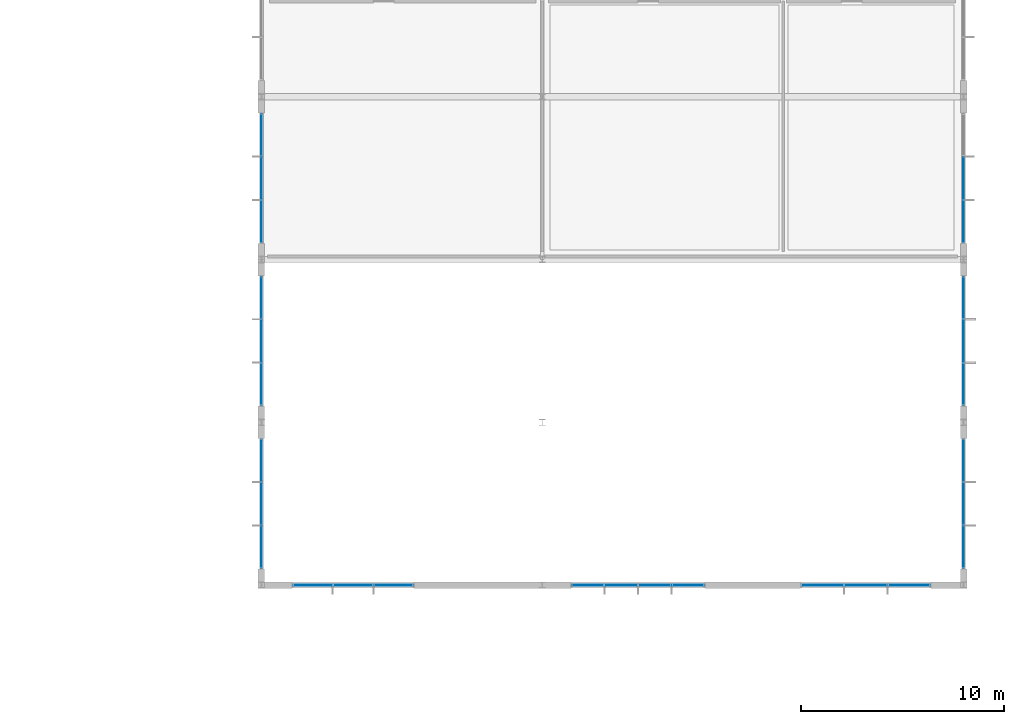
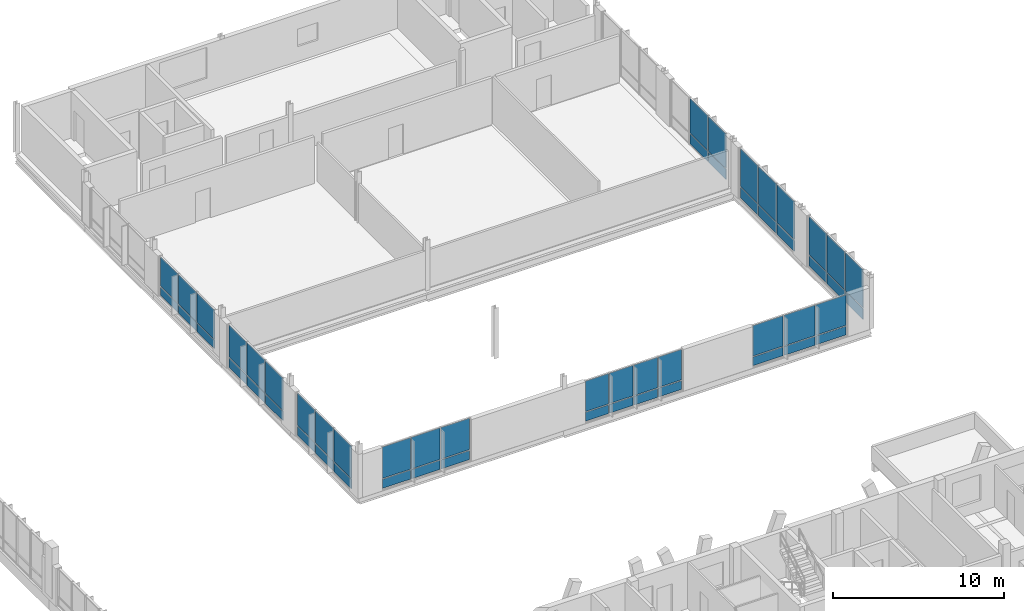
# One storey, part 131 of 189: 54 plates, 9 elements without a shape of their own.
"""IFC4 building model written with IfcOpenShell, lengths in metres."""

import ifcopenshell
import ifcopenshell.guid

model = None  # the IFC model being written
_history = None  # IfcOwnerHistory: only IFC2X3 demands one
_inside = {}  # id of a spatial element -> (the spatial element, [elements in it])
_under = {}  # id of a project, library or spatial element -> (it, [spatial elements below it])
_declared = {}  # id of a project -> (the project, [libraries it declares])
_typed = {}  # id of a type object -> (the type object, [elements of that type])
_made_of = {}  # id of a material, layer set ... -> (it, [elements and type objects made of it])


def new_model(schema):
    """Start an empty IFC model of exactly this schema.

    Asked for "IFC4X3", IfcOpenShell would pick the latest addendum, in which some entities
    have other attributes; the version numbers below select the first issue.
    IFC2X3 requires an IfcOwnerHistory on every rooted entity: one is made here for all.
    """
    global model, _history
    if schema == "IFC4X3":
        model = ifcopenshell.file(schema_version=(4, 3, 0, 0))
    else:
        model = ifcopenshell.file(schema=schema)
    _inside.clear()
    _under.clear()
    _declared.clear()
    _typed.clear()
    _made_of.clear()
    _history = None
    if model.schema == "IFC2X3":
        org = make("IfcOrganization", Name="unknown")
        user = make(
            "IfcPersonAndOrganization",
            ThePerson=make("IfcPerson", FamilyName="unknown"),
            TheOrganization=org,
        )
        app = make(
            "IfcApplication",
            ApplicationDeveloper=org,
            Version="unknown",
            ApplicationFullName="unknown",
            ApplicationIdentifier="unknown",
        )
        _history = make(
            "IfcOwnerHistory",
            OwningUser=user,
            OwningApplication=app,
            ChangeAction="ADDED",
            CreationDate=0,
        )
    return model


def make(cls, **values):
    """One entity of the class cls with the attributes given. An attribute that is None is left unset."""
    return model.create_entity(
        cls, **{name: value for name, value in values.items() if value is not None}
    )


def rooted(cls, **values):
    """An entity with a GlobalId (a new one), such as an element, a storey or a relation."""
    return make(cls, GlobalId=ifcopenshell.guid.new(), OwnerHistory=_history, **values)


def si_unit(unit_type, name, prefix=None):
    """IfcSIUnit, for example si_unit("LENGTHUNIT", "METRE", prefix="MILLI")."""
    return make("IfcSIUnit", UnitType=unit_type, Prefix=prefix, Name=name)


def assignment(units):
    """IfcUnitAssignment: the units of a project."""
    return None if units is None else make("IfcUnitAssignment", Units=units)


def point(xyz):
    """IfcCartesianPoint."""
    return None if xyz is None else make("IfcCartesianPoint", Coordinates=xyz)


def direction(xyz):
    """IfcDirection."""
    return None if xyz is None else make("IfcDirection", DirectionRatios=xyz)


def frame(location, z_axis=None, x_axis=None):
    """IfcAxis2Placement3D, a coordinate frame: its origin and axes. An axis left out is left unset."""
    return make(
        "IfcAxis2Placement3D",
        Location=point(location),
        Axis=direction(z_axis),
        RefDirection=direction(x_axis),
    )


def frame_2d(location, x_axis=None):
    """IfcAxis2Placement2D, a coordinate frame in the plane: its origin and x axis."""
    return make(
        "IfcAxis2Placement2D", Location=point(location), RefDirection=direction(x_axis)
    )


def origin():
    """The frame at (0, 0, 0) with its axes left unset."""
    return frame((0.0, 0.0, 0.0))


def origin_2d():
    """The frame at (0, 0) in the plane with its x axis left unset."""
    return frame_2d((0.0, 0.0))


def place(relative_to, where):
    """IfcLocalPlacement: puts the frame where relative to a parent placement (None: the world)."""
    return make(
        "IfcLocalPlacement", PlacementRelTo=relative_to, RelativePlacement=where
    )


def context(
    kind, dimensions, precision=None, world=None, true_north=None, identifier=None
):
    """IfcGeometricRepresentationContext, for example the 3D "Model" context."""
    return make(
        "IfcGeometricRepresentationContext",
        ContextIdentifier=identifier,
        ContextType=kind,
        CoordinateSpaceDimension=dimensions,
        Precision=precision,
        WorldCoordinateSystem=world,
        TrueNorth=true_north,
    )


def subcontext(parent, identifier, kind, view, scale=None):
    """IfcGeometricRepresentationSubContext, for example "Body" below "Model"."""
    return make(
        "IfcGeometricRepresentationSubContext",
        ContextIdentifier=identifier,
        ContextType=kind,
        ParentContext=parent,
        TargetScale=scale,
        TargetView=view,
    )


def project(units=None, contexts=None):
    """IfcProject with its units and contexts."""
    return rooted(
        "IfcProject",
        Name="project",
        RepresentationContexts=contexts,
        UnitsInContext=assignment(units),
    )


def spatial(cls, under=None, at=None, **own):
    """A site, building, storey or space (cls), placed at a placement, below another one or the project."""
    s = rooted(cls, ObjectPlacement=at, **own)
    if under is not None:
        _under.setdefault(under.id(), (under, []))[1].append(s)
    return s


def profile(cls, at=None, kind="AREA", **sizes):
    """A parametric profile (cls). Its sizes go by their IFC names, for example OverallWidth=200.0."""
    return make(cls, ProfileType=kind, Position=at, **sizes)


def rectangle(**sizes):
    """IfcRectangleProfileDef."""
    return profile("IfcRectangleProfileDef", **sizes)


def extrude(swept, where, along, depth):
    """IfcExtrudedAreaSolid: the profile swept, set in the frame where, extruded along a direction by depth."""
    return make(
        "IfcExtrudedAreaSolid",
        SweptArea=swept,
        Position=where,
        ExtrudedDirection=direction(along),
        Depth=depth,
    )


def shape(context_of_items, identifier, shape_type, items):
    """IfcShapeRepresentation: the items that make up one representation, for example the "Body"."""
    return make(
        "IfcShapeRepresentation",
        ContextOfItems=context_of_items,
        RepresentationIdentifier=identifier,
        RepresentationType=shape_type,
        Items=items,
    )


def material(Name=None, Category=None):
    """IfcMaterial."""
    return make("IfcMaterial", Name=Name, Category=Category)


def layer(
    of_material, thickness, ventilated=None, Name=None, Category=None, Priority=None
):
    """IfcMaterialLayer: one layer of a wall or slab, of a material (None: an air gap)."""
    return make(
        "IfcMaterialLayer",
        Material=of_material,
        LayerThickness=thickness,
        IsVentilated=ventilated,
        Name=Name,
        Category=Category,
        Priority=Priority,
    )


def layer_set(layers, Name=None):
    """IfcMaterialLayerSet."""
    return make("IfcMaterialLayerSet", MaterialLayers=layers, LayerSetName=Name)


def made_of(thing, what):
    """Note that an element or type object is made of a material, layer set ...; save() writes the relation."""
    if what is not None:
        _made_of.setdefault(what.id(), (what, []))[1].append(thing)
    return thing


def type_object(cls, material=None, **own):
    """A type object (cls), such as IfcWallType, which elements share."""
    return made_of(rooted(cls, **own), material)


def element(
    cls,
    number,
    at=None,
    inside=None,
    cuts=None,
    type_object=None,
    material=None,
    context=None,
    identifier="Body",
    shape_type=None,
    held_by="IfcProductDefinitionShape",
    body=None,
    shapes=None,
    **own,
):
    """One element of the class cls, such as IfcWall. Its Tag is "e" and its number.

    at: its placement. inside: the storey or other place that contains it. cuts: it is an
    opening in that element (IfcRelVoidsElement). A single representation is given by context,
    identifier, shape_type and body (its items); several are given by shapes. held_by: the class
    of the entity that holds the representations. save() writes the other relations.
    """
    e = rooted(cls, Tag="e%d" % number, ObjectPlacement=at, **own)
    if body is not None:
        shapes = [shape(context, identifier, shape_type, body)]
    if shapes is not None:
        e.Representation = make(held_by, Representations=shapes)
    if inside is not None:
        _inside.setdefault(inside.id(), (inside, []))[1].append(e)
    if cuts is not None:
        rooted(
            "IfcRelVoidsElement", RelatingBuildingElement=cuts, RelatedOpeningElement=e
        )
    if type_object is not None:
        _typed.setdefault(type_object.id(), (type_object, []))[1].append(e)
    return made_of(e, material)


def aggregate(whole, parts):
    """IfcRelAggregates: a whole, such as a stair, and the parts it consists of."""
    return rooted("IfcRelAggregates", RelatingObject=whole, RelatedObjects=parts)


def save(model, path):
    """Write the relations noted so far, then the file.

    IfcRelAggregates (storeys below a building ...), IfcRelContainedInSpatialStructure (elements
    in a storey), IfcRelDefinesByType, IfcRelAssociatesMaterial and IfcRelDeclares: one each for
    every whole, place, type object, material and project.
    """
    for whole, parts in _under.values():
        aggregate(whole, parts)
    for where, things in _inside.values():
        rooted(
            "IfcRelContainedInSpatialStructure",
            RelatedElements=things,
            RelatingStructure=where,
        )
    for kind, things in _typed.values():
        rooted("IfcRelDefinesByType", RelatedObjects=things, RelatingType=kind)
    for what, things in _made_of.values():
        rooted("IfcRelAssociatesMaterial", RelatedObjects=things, RelatingMaterial=what)
    for by, libraries in _declared.values():
        rooted("IfcRelDeclares", RelatingContext=by, RelatedDefinitions=libraries)
    model.write(path)


model = new_model("IFC4")

# Units and contexts
model_context = context("Model", 3, precision=1e-05, world=origin(), true_north=direction((0.0, 1.0)))
body_context = subcontext(model_context, "Body", "Model", "MODEL_VIEW")
ifc_project = project(units=[si_unit("LENGTHUNIT", "METRE"), si_unit("AREAUNIT", "SQUARE_METRE"), si_unit("VOLUMEUNIT", "CUBIC_METRE"), si_unit("PLANEANGLEUNIT", "RADIAN"), si_unit("MASSUNIT", "GRAM", prefix="KILO")], contexts=[model_context])

# Site, building, storey
site_placement = place(None, origin())
site = spatial("IfcSite", under=ifc_project, at=site_placement, CompositionType="ELEMENT")
building_placement = place(site_placement, origin())
building = spatial("IfcBuilding", under=site, at=building_placement, Name="Zavelmont Quarter", CompositionType="ELEMENT")
storey_placement = place(building_placement, frame((0.0, 0.0, 4.39990234375)))
storey = spatial("IfcBuildingStorey", under=building, at=storey_placement, Name="L01", CompositionType="ELEMENT", Elevation=4.39990234375)

# Curtain wall, plates
ifc_material_1 = material(Name="Thermally broken aluminium and double low-E safety glazing", Category="aluminium")
curtain_wall_type_1 = type_object("IfcCurtainWallType", Name="CW-660X297", PredefinedType="NOTDEFINED", material=ifc_material_1)
curtain_wall_1_placement = place(storey_placement, origin())
curtain_wall_1 = element("IfcCurtainWall", 1, at=curtain_wall_1_placement, inside=storey, type_object=curtain_wall_type_1, Name="L01 unitised curtain wall CW-660X297", PredefinedType="NOTDEFINED")
ifc_material_2 = material(Name="Insulated anodised-aluminium spandrel panel", Category="aluminium")
ifc_layer_1 = layer(ifc_material_2, 0.0400390625)
ifc_layer_set_1 = layer_set([ifc_layer_1], Name="Insulated anodised-aluminium spandrel panel")
plate_type_1 = type_object("IfcPlateType", Name="CWP-SPD-1560X625", PredefinedType="CURTAIN_PANEL", material=ifc_layer_set_1)
plate_1_placement = place(storey_placement, frame((149.5400390625, 38.0, -0.219970703125), z_axis=(0.0, 0.0, 1.0), x_axis=(1.0, 0.0, 0.0)))
plate_1 = element("IfcPlate", 2, at=plate_1_placement, type_object=plate_type_1, Name="CW-660X297 panel 1.1", PredefinedType="CURTAIN_PANEL", context=body_context, shape_type="SweptSolid", body=[
    extrude(rectangle(XDim=1.56005859375, YDim=0.0400390625, at=origin_2d()), origin(), (0.0, 0.0, 1.0), 0.623046875),
])
plate_2_placement = place(storey_placement, frame((154.4599609375, 38.0, -0.219970703125), z_axis=(0.0, 0.0, 1.0), x_axis=(1.0, 0.0, 0.0)))
plate_2 = element("IfcPlate", 3, at=plate_2_placement, type_object=plate_type_1, Name="CW-660X297 panel 4.1", PredefinedType="CURTAIN_PANEL", context=body_context, shape_type="SweptSolid", body=[
    extrude(rectangle(XDim=1.56005859375, YDim=0.0400390625, at=origin_2d()), origin(), (0.0, 0.0, 1.0), 0.623046875),
])
ifc_layer_2 = layer(ifc_material_2, 0.0400390625)
ifc_layer_set_2 = layer_set([ifc_layer_2], Name="Insulated anodised-aluminium spandrel panel")
plate_type_2 = type_object("IfcPlateType", Name="CWP-SPD-1590X625", PredefinedType="CURTAIN_PANEL", material=ifc_layer_set_2)
plate_3_placement = place(storey_placement, frame((151.175048828125, 38.0, -0.219970703125), z_axis=(0.0, 0.0, 1.0), x_axis=(1.0, 0.0, 0.0)))
plate_3 = element("IfcPlate", 4, at=plate_3_placement, type_object=plate_type_2, Name="CW-660X297 panel 2.1", PredefinedType="CURTAIN_PANEL", context=body_context, shape_type="SweptSolid", body=[
    extrude(rectangle(XDim=1.590087890625, YDim=0.0400390625, at=origin_2d()), origin(), (0.0, 0.0, 1.0), 0.623046875),
])
plate_4_placement = place(storey_placement, frame((152.824951171875, 38.0, -0.219970703125), z_axis=(0.0, 0.0, 1.0), x_axis=(1.0, 0.0, 0.0)))
plate_4 = element("IfcPlate", 5, at=plate_4_placement, type_object=plate_type_2, Name="CW-660X297 panel 3.1", PredefinedType="CURTAIN_PANEL", context=body_context, shape_type="SweptSolid", body=[
    extrude(rectangle(XDim=1.590087890625, YDim=0.0400390625, at=origin_2d()), origin(), (0.0, 0.0, 1.0), 0.623046875),
])

curtain_wall_type_2 = type_object("IfcCurtainWallType", Name="CW-600X307", PredefinedType="NOTDEFINED", material=ifc_material_1)
curtain_wall_2_placement = place(storey_placement, origin())
curtain_wall_2 = element("IfcCurtainWall", 6, at=curtain_wall_2_placement, inside=storey, type_object=curtain_wall_type_2, Name="L01 unitised curtain wall CW-600X307", PredefinedType="NOTDEFINED")
ifc_layer_3 = layer(ifc_material_2, 0.0400390625)
ifc_layer_set_3 = layer_set([ifc_layer_3], Name="Insulated anodised-aluminium spandrel panel")
plate_type_3 = type_object("IfcPlateType", Name="CWP-SPD-1910X645", PredefinedType="CURTAIN_PANEL", material=ifc_layer_set_3)
plate_5_placement = place(storey_placement, frame((136.014892578125, 38.0, -0.219970703125), z_axis=(0.0, 0.0, 1.0), x_axis=(1.0, 0.0, 0.0)))
plate_5 = element("IfcPlate", 7, at=plate_5_placement, type_object=plate_type_3, Name="CW-600X307 panel 1.1", PredefinedType="CURTAIN_PANEL", context=body_context, shape_type="SweptSolid", body=[
    extrude(rectangle(XDim=1.909912109375, YDim=0.0400390625, at=origin_2d()), origin(), (0.0, 0.0, 1.0), 0.64697265625),
])
plate_6_placement = place(storey_placement, frame((139.985107421875, 38.0, -0.219970703125), z_axis=(0.0, 0.0, 1.0), x_axis=(1.0, 0.0, 0.0)))
plate_6 = element("IfcPlate", 8, at=plate_6_placement, type_object=plate_type_3, Name="CW-600X307 panel 3.1", PredefinedType="CURTAIN_PANEL", context=body_context, shape_type="SweptSolid", body=[
    extrude(rectangle(XDim=1.909912109375, YDim=0.0400390625, at=origin_2d()), origin(), (0.0, 0.0, 1.0), 0.64697265625),
])
ifc_layer_4 = layer(ifc_material_2, 0.0400390625)
ifc_layer_set_4 = layer_set([ifc_layer_4], Name="Insulated anodised-aluminium spandrel panel")
plate_type_4 = type_object("IfcPlateType", Name="CWP-SPD-1940X645", PredefinedType="CURTAIN_PANEL", material=ifc_layer_set_4)
plate_7_placement = place(storey_placement, frame((138.0, 38.0, -0.219970703125), z_axis=(0.0, 0.0, 1.0), x_axis=(1.0, 0.0, 0.0)))
plate_7 = element("IfcPlate", 9, at=plate_7_placement, type_object=plate_type_4, Name="CW-600X307 panel 2.1", PredefinedType="CURTAIN_PANEL", context=body_context, shape_type="SweptSolid", body=[
    extrude(rectangle(XDim=1.93994140625, YDim=0.0400390625, at=origin_2d()), origin(), (0.0, 0.0, 1.0), 0.64697265625),
])

curtain_wall_type_3 = type_object("IfcCurtainWallType", Name="CW-640X287", PredefinedType="NOTDEFINED", material=ifc_material_1)
curtain_wall_3_placement = place(storey_placement, origin())
curtain_wall_3 = element("IfcCurtainWall", 10, at=curtain_wall_3_placement, inside=storey, type_object=curtain_wall_type_3, Name="L01 unitised curtain wall CW-640X287", PredefinedType="NOTDEFINED")
ifc_layer_5 = layer(ifc_material_2, 0.0400390625)
ifc_layer_set_5 = layer_set([ifc_layer_5], Name="Insulated anodised-aluminium spandrel panel")
plate_type_5 = type_object("IfcPlateType", Name="CWP-SPD-2045X600", PredefinedType="CURTAIN_PANEL", material=ifc_layer_set_5)
plate_8_placement = place(storey_placement, frame((133.5, 55.881591796875, 0.06005859375), z_axis=(0.0, 0.0, 1.0), x_axis=(0.0, 1.0, 0.0)))
plate_8 = element("IfcPlate", 11, at=plate_8_placement, type_object=plate_type_5, Name="CW-640X287 panel 1.1", PredefinedType="CURTAIN_PANEL", context=body_context, shape_type="SweptSolid", body=[
    extrude(rectangle(XDim=2.043212890625, YDim=0.0400390625, at=origin_2d()), origin(), (0.0, 0.0, 1.0), 0.59912109375),
])
plate_9_placement = place(storey_placement, frame((133.5, 60.118408203125, 0.06005859375), z_axis=(0.0, 0.0, 1.0), x_axis=(0.0, 1.0, 0.0)))
plate_9 = element("IfcPlate", 12, at=plate_9_placement, type_object=plate_type_5, Name="CW-640X287 panel 3.1", PredefinedType="CURTAIN_PANEL", context=body_context, shape_type="SweptSolid", body=[
    extrude(rectangle(XDim=2.043212890625, YDim=0.0400390625, at=origin_2d()), origin(), (0.0, 0.0, 1.0), 0.59912109375),
])

curtain_wall_type_4 = type_object("IfcCurtainWallType", Name="CW-640X297", PredefinedType="NOTDEFINED", material=ifc_material_1)
curtain_wall_4_placement = place(storey_placement, origin())
curtain_wall_4 = element("IfcCurtainWall", 13, at=curtain_wall_4_placement, inside=storey, type_object=curtain_wall_type_4, Name="L01 unitised curtain wall CW-640X297", PredefinedType="NOTDEFINED")
ifc_layer_6 = layer(ifc_material_2, 0.0400390625)
ifc_layer_set_6 = layer_set([ifc_layer_6], Name="Insulated anodised-aluminium spandrel panel")
plate_type_6 = type_object("IfcPlateType", Name="CWP-SPD-2045X625", PredefinedType="CURTAIN_PANEL", material=ifc_layer_set_6)
plate_10_placement = place(storey_placement, frame((161.081787109375, 38.0, -0.219970703125), z_axis=(0.0, 0.0, 1.0), x_axis=(1.0, 0.0, 0.0)))
plate_10 = element("IfcPlate", 14, at=plate_10_placement, type_object=plate_type_6, Name="CW-640X297 panel 1.1", PredefinedType="CURTAIN_PANEL", context=body_context, shape_type="SweptSolid", body=[
    extrude(rectangle(XDim=2.043212890625, YDim=0.0400390625, at=origin_2d()), origin(), (0.0, 0.0, 1.0), 0.623046875),
])
plate_11_placement = place(storey_placement, frame((165.318359375, 38.0, -0.219970703125), z_axis=(0.0, 0.0, 1.0), x_axis=(1.0, 0.0, 0.0)))
plate_11 = element("IfcPlate", 15, at=plate_11_placement, type_object=plate_type_6, Name="CW-640X297 panel 3.1", PredefinedType="CURTAIN_PANEL", context=body_context, shape_type="SweptSolid", body=[
    extrude(rectangle(XDim=2.043212890625, YDim=0.0400390625, at=origin_2d()), origin(), (0.0, 0.0, 1.0), 0.623046875),
])

curtain_wall_type_5 = type_object("IfcCurtainWallType", Name="CW-640X315", PredefinedType="NOTDEFINED", material=ifc_material_1)
curtain_wall_5_placement = place(storey_placement, origin())
curtain_wall_5 = element("IfcCurtainWall", 16, at=curtain_wall_5_placement, inside=storey, type_object=curtain_wall_type_5, Name="L01 unitised curtain wall CW-640X315", PredefinedType="NOTDEFINED")
ifc_layer_7 = layer(ifc_material_2, 0.0400390625)
ifc_layer_set_7 = layer_set([ifc_layer_7], Name="Insulated anodised-aluminium spandrel panel")
plate_type_7 = type_object("IfcPlateType", Name="CWP-SPD-2045X665", PredefinedType="CURTAIN_PANEL", material=ifc_layer_set_7)
plate_12_placement = place(storey_placement, frame((133.5, 39.881591796875, -0.219970703125), z_axis=(0.0, 0.0, 1.0), x_axis=(0.0, 1.0, 0.0)))
plate_12 = element("IfcPlate", 17, at=plate_12_placement, type_object=plate_type_7, Name="CW-640X315 panel 1.1", PredefinedType="CURTAIN_PANEL", context=body_context, shape_type="SweptSolid", body=[
    extrude(rectangle(XDim=2.043212890625, YDim=0.0400390625, at=origin_2d()), origin(), (0.0, 0.0, 1.0), 0.666015625),
])
plate_13_placement = place(storey_placement, frame((133.5, 44.118408203125, -0.219970703125), z_axis=(0.0, 0.0, 1.0), x_axis=(0.0, 1.0, 0.0)))
plate_13 = element("IfcPlate", 18, at=plate_13_placement, type_object=plate_type_7, Name="CW-640X315 panel 3.1", PredefinedType="CURTAIN_PANEL", context=body_context, shape_type="SweptSolid", body=[
    extrude(rectangle(XDim=2.043212890625, YDim=0.0400390625, at=origin_2d()), origin(), (0.0, 0.0, 1.0), 0.666015625),
])

curtain_wall_6_placement = place(storey_placement, origin())
curtain_wall_6 = element("IfcCurtainWall", 19, at=curtain_wall_6_placement, inside=storey, type_object=curtain_wall_type_5, Name="L01 unitised curtain wall CW-640X315", PredefinedType="NOTDEFINED")
plate_14_placement = place(storey_placement, frame((133.5, 47.881591796875, -0.219970703125), z_axis=(0.0, 0.0, 1.0), x_axis=(0.0, 1.0, 0.0)))
plate_14 = element("IfcPlate", 20, at=plate_14_placement, type_object=plate_type_7, Name="CW-640X315 panel 1.1", PredefinedType="CURTAIN_PANEL", context=body_context, shape_type="SweptSolid", body=[
    extrude(rectangle(XDim=2.043212890625, YDim=0.0400390625, at=origin_2d()), origin(), (0.0, 0.0, 1.0), 0.666015625),
])
plate_15_placement = place(storey_placement, frame((133.5, 52.118408203125, -0.219970703125), z_axis=(0.0, 0.0, 1.0), x_axis=(0.0, 1.0, 0.0)))
plate_15 = element("IfcPlate", 21, at=plate_15_placement, type_object=plate_type_7, Name="CW-640X315 panel 3.1", PredefinedType="CURTAIN_PANEL", context=body_context, shape_type="SweptSolid", body=[
    extrude(rectangle(XDim=2.043212890625, YDim=0.0400390625, at=origin_2d()), origin(), (0.0, 0.0, 1.0), 0.666015625),
])

# Curtain wall, plate
curtain_wall_type_6 = type_object("IfcCurtainWallType", Name="CW-640X337", PredefinedType="NOTDEFINED", material=ifc_material_1)
curtain_wall_7_placement = place(storey_placement, origin())
curtain_wall_7 = element("IfcCurtainWall", 22, at=curtain_wall_7_placement, inside=storey, type_object=curtain_wall_type_6, Name="L01 unitised curtain wall CW-640X337", PredefinedType="NOTDEFINED")
ifc_layer_8 = layer(ifc_material_2, 0.0400390625)
ifc_layer_set_8 = layer_set([ifc_layer_8], Name="Insulated anodised-aluminium spandrel panel")
plate_type_8 = type_object("IfcPlateType", Name="CWP-SPD-2045X720", PredefinedType="CURTAIN_PANEL", material=ifc_layer_set_8)
plate_16_placement = place(storey_placement, frame((168.0, 55.881591796875, 0.06005859375), z_axis=(0.0, 0.0, 1.0), x_axis=(0.0, 1.0, 0.0)))
plate_16 = element("IfcPlate", 23, at=plate_16_placement, type_object=plate_type_8, Name="CW-640X337 panel 1.1", PredefinedType="CURTAIN_PANEL", context=body_context, shape_type="SweptSolid", body=[
    extrude(rectangle(XDim=2.043212890625, YDim=0.0400390625, at=origin_2d()), origin(), (0.0, 0.0, 1.0), 0.718994140625),
])

# Curtain wall, plates
curtain_wall_type_7 = type_object("IfcCurtainWallType", Name="CW-640X365", PredefinedType="NOTDEFINED", material=ifc_material_1)
curtain_wall_8_placement = place(storey_placement, origin())
curtain_wall_8 = element("IfcCurtainWall", 24, at=curtain_wall_8_placement, inside=storey, type_object=curtain_wall_type_7, Name="L01 unitised curtain wall CW-640X365", PredefinedType="NOTDEFINED")
ifc_layer_9 = layer(ifc_material_2, 0.0400390625)
ifc_layer_set_9 = layer_set([ifc_layer_9], Name="Insulated anodised-aluminium spandrel panel")
plate_type_9 = type_object("IfcPlateType", Name="CWP-SPD-2045X760", PredefinedType="CURTAIN_PANEL", material=ifc_layer_set_9)
plate_17_placement = place(storey_placement, frame((168.0, 39.881591796875, -0.2197265625), z_axis=(0.0, 0.0, 1.0), x_axis=(0.0, 1.0, 0.0)))
plate_17 = element("IfcPlate", 25, at=plate_17_placement, type_object=plate_type_9, Name="CW-640X365 panel 1.1", PredefinedType="CURTAIN_PANEL", context=body_context, shape_type="SweptSolid", body=[
    extrude(rectangle(XDim=2.043212890625, YDim=0.0400390625, at=origin_2d()), origin(), (0.0, 0.0, 1.0), 0.760009765625),
])
plate_18_placement = place(storey_placement, frame((168.0, 44.118408203125, -0.2197265625), z_axis=(0.0, 0.0, 1.0), x_axis=(0.0, 1.0, 0.0)))
plate_18 = element("IfcPlate", 26, at=plate_18_placement, type_object=plate_type_9, Name="CW-640X365 panel 3.1", PredefinedType="CURTAIN_PANEL", context=body_context, shape_type="SweptSolid", body=[
    extrude(rectangle(XDim=2.043212890625, YDim=0.0400390625, at=origin_2d()), origin(), (0.0, 0.0, 1.0), 0.760009765625),
])

curtain_wall_9_placement = place(storey_placement, origin())
curtain_wall_9 = element("IfcCurtainWall", 27, at=curtain_wall_9_placement, inside=storey, type_object=curtain_wall_type_7, Name="L01 unitised curtain wall CW-640X365", PredefinedType="NOTDEFINED")
plate_19_placement = place(storey_placement, frame((168.0, 47.881591796875, -0.2197265625), z_axis=(0.0, 0.0, 1.0), x_axis=(0.0, 1.0, 0.0)))
plate_19 = element("IfcPlate", 28, at=plate_19_placement, type_object=plate_type_9, Name="CW-640X365 panel 1.1", PredefinedType="CURTAIN_PANEL", context=body_context, shape_type="SweptSolid", body=[
    extrude(rectangle(XDim=2.043212890625, YDim=0.0400390625, at=origin_2d()), origin(), (0.0, 0.0, 1.0), 0.760009765625),
])
plate_20_placement = place(storey_placement, frame((168.0, 52.118408203125, -0.2197265625), z_axis=(0.0, 0.0, 1.0), x_axis=(0.0, 1.0, 0.0)))
plate_20 = element("IfcPlate", 29, at=plate_20_placement, type_object=plate_type_9, Name="CW-640X365 panel 3.1", PredefinedType="CURTAIN_PANEL", context=body_context, shape_type="SweptSolid", body=[
    extrude(rectangle(XDim=2.043212890625, YDim=0.0400390625, at=origin_2d()), origin(), (0.0, 0.0, 1.0), 0.760009765625),
])

# Plate
ifc_layer_10 = layer(ifc_material_2, 0.0400390625)
ifc_layer_set_10 = layer_set([ifc_layer_10], Name="Insulated anodised-aluminium spandrel panel")
plate_type_10 = type_object("IfcPlateType", Name="CWP-SPD-2075X600", PredefinedType="CURTAIN_PANEL", material=ifc_layer_set_10)
plate_21_placement = place(storey_placement, frame((133.5, 58.0, 0.06005859375), z_axis=(0.0, 0.0, 1.0), x_axis=(0.0, 1.0, 0.0)))
plate_21 = element("IfcPlate", 30, at=plate_21_placement, type_object=plate_type_10, Name="CW-640X287 panel 2.1", PredefinedType="CURTAIN_PANEL", context=body_context, shape_type="SweptSolid", body=[
    extrude(rectangle(XDim=2.0732421875, YDim=0.0400390625, at=origin_2d()), origin(), (0.0, 0.0, 1.0), 0.59912109375),
])

ifc_layer_11 = layer(ifc_material_2, 0.0400390625)
ifc_layer_set_11 = layer_set([ifc_layer_11], Name="Insulated anodised-aluminium spandrel panel")
plate_type_11 = type_object("IfcPlateType", Name="CWP-SPD-2075X625", PredefinedType="CURTAIN_PANEL", material=ifc_layer_set_11)
plate_22_placement = place(storey_placement, frame((163.199951171875, 38.0, -0.219970703125), z_axis=(0.0, 0.0, 1.0), x_axis=(1.0, 0.0, 0.0)))
plate_22 = element("IfcPlate", 31, at=plate_22_placement, type_object=plate_type_11, Name="CW-640X297 panel 2.1", PredefinedType="CURTAIN_PANEL", context=body_context, shape_type="SweptSolid", body=[
    extrude(rectangle(XDim=2.0732421875, YDim=0.0400390625, at=origin_2d()), origin(), (0.0, 0.0, 1.0), 0.623046875),
])

ifc_layer_12 = layer(ifc_material_2, 0.0400390625)
ifc_layer_set_12 = layer_set([ifc_layer_12], Name="Insulated anodised-aluminium spandrel panel")
plate_type_12 = type_object("IfcPlateType", Name="CWP-SPD-2075X665", PredefinedType="CURTAIN_PANEL", material=ifc_layer_set_12)
plate_23_placement = place(storey_placement, frame((133.5, 42.0, -0.219970703125), z_axis=(0.0, 0.0, 1.0), x_axis=(0.0, 1.0, 0.0)))
plate_23 = element("IfcPlate", 32, at=plate_23_placement, type_object=plate_type_12, Name="CW-640X315 panel 2.1", PredefinedType="CURTAIN_PANEL", context=body_context, shape_type="SweptSolid", body=[
    extrude(rectangle(XDim=2.0732421875, YDim=0.0400390625, at=origin_2d()), origin(), (0.0, 0.0, 1.0), 0.666015625),
])

plate_24_placement = place(storey_placement, frame((133.5, 50.0, -0.219970703125), z_axis=(0.0, 0.0, 1.0), x_axis=(0.0, 1.0, 0.0)))
plate_24 = element("IfcPlate", 33, at=plate_24_placement, type_object=plate_type_12, Name="CW-640X315 panel 2.1", PredefinedType="CURTAIN_PANEL", context=body_context, shape_type="SweptSolid", body=[
    extrude(rectangle(XDim=2.0732421875, YDim=0.0400390625, at=origin_2d()), origin(), (0.0, 0.0, 1.0), 0.666015625),
])

ifc_layer_13 = layer(ifc_material_2, 0.0400390625)
ifc_layer_set_13 = layer_set([ifc_layer_13], Name="Insulated anodised-aluminium spandrel panel")
plate_type_13 = type_object("IfcPlateType", Name="CWP-SPD-2075X720", PredefinedType="CURTAIN_PANEL", material=ifc_layer_set_13)
plate_25_placement = place(storey_placement, frame((168.0, 58.0, 0.06005859375), z_axis=(0.0, 0.0, 1.0), x_axis=(0.0, 1.0, 0.0)))
plate_25 = element("IfcPlate", 34, at=plate_25_placement, type_object=plate_type_13, Name="CW-640X337 panel 2.1", PredefinedType="CURTAIN_PANEL", context=body_context, shape_type="SweptSolid", body=[
    extrude(rectangle(XDim=2.0732421875, YDim=0.0400390625, at=origin_2d()), origin(), (0.0, 0.0, 1.0), 0.718994140625),
])

ifc_layer_14 = layer(ifc_material_2, 0.0400390625)
ifc_layer_set_14 = layer_set([ifc_layer_14], Name="Insulated anodised-aluminium spandrel panel")
plate_type_14 = type_object("IfcPlateType", Name="CWP-SPD-2075X760", PredefinedType="CURTAIN_PANEL", material=ifc_layer_set_14)
plate_26_placement = place(storey_placement, frame((168.0, 42.0, -0.2197265625), z_axis=(0.0, 0.0, 1.0), x_axis=(0.0, 1.0, 0.0)))
plate_26 = element("IfcPlate", 35, at=plate_26_placement, type_object=plate_type_14, Name="CW-640X365 panel 2.1", PredefinedType="CURTAIN_PANEL", context=body_context, shape_type="SweptSolid", body=[
    extrude(rectangle(XDim=2.0732421875, YDim=0.0400390625, at=origin_2d()), origin(), (0.0, 0.0, 1.0), 0.760009765625),
])

plate_27_placement = place(storey_placement, frame((168.0, 50.0, -0.2197265625), z_axis=(0.0, 0.0, 1.0), x_axis=(0.0, 1.0, 0.0)))
plate_27 = element("IfcPlate", 36, at=plate_27_placement, type_object=plate_type_14, Name="CW-640X365 panel 2.1", PredefinedType="CURTAIN_PANEL", context=body_context, shape_type="SweptSolid", body=[
    extrude(rectangle(XDim=2.0732421875, YDim=0.0400390625, at=origin_2d()), origin(), (0.0, 0.0, 1.0), 0.760009765625),
])

ifc_material_3 = material(Name="Double low-E insulated vision glass", Category="glass")
ifc_layer_15 = layer(ifc_material_3, 0.028076171875)
ifc_layer_set_15 = layer_set([ifc_layer_15], Name="Double low-E insulated vision glass")
plate_type_15 = type_object("IfcPlateType", Name="CWP-VIS-1560X2165", PredefinedType="CURTAIN_PANEL", material=ifc_layer_set_15)
plate_28_placement = place(storey_placement, frame((149.5400390625, 38.0, 0.463134765625), z_axis=(0.0, 0.0, 1.0), x_axis=(1.0, 0.0, 0.0)))
plate_28 = element("IfcPlate", 37, at=plate_28_placement, type_object=plate_type_15, Name="CW-660X297 panel 1.2", PredefinedType="CURTAIN_PANEL", context=body_context, shape_type="SweptSolid", body=[
    extrude(rectangle(XDim=1.56005859375, YDim=0.028076171875, at=origin_2d()), origin(), (0.0, 0.0, 1.0), 2.1669921875),
])

plate_29_placement = place(storey_placement, frame((154.4599609375, 38.0, 0.463134765625), z_axis=(0.0, 0.0, 1.0), x_axis=(1.0, 0.0, 0.0)))
plate_29 = element("IfcPlate", 38, at=plate_29_placement, type_object=plate_type_15, Name="CW-660X297 panel 4.2", PredefinedType="CURTAIN_PANEL", context=body_context, shape_type="SweptSolid", body=[
    extrude(rectangle(XDim=1.56005859375, YDim=0.028076171875, at=origin_2d()), origin(), (0.0, 0.0, 1.0), 2.1669921875),
])

ifc_layer_16 = layer(ifc_material_3, 0.028076171875)
ifc_layer_set_16 = layer_set([ifc_layer_16], Name="Double low-E insulated vision glass")
plate_type_16 = type_object("IfcPlateType", Name="CWP-VIS-1590X2165", PredefinedType="CURTAIN_PANEL", material=ifc_layer_set_16)
plate_30_placement = place(storey_placement, frame((151.175048828125, 38.0, 0.463134765625), z_axis=(0.0, 0.0, 1.0), x_axis=(1.0, 0.0, 0.0)))
plate_30 = element("IfcPlate", 39, at=plate_30_placement, type_object=plate_type_16, Name="CW-660X297 panel 2.2", PredefinedType="CURTAIN_PANEL", context=body_context, shape_type="SweptSolid", body=[
    extrude(rectangle(XDim=1.590087890625, YDim=0.028076171875, at=origin_2d()), origin(), (0.0, 0.0, 1.0), 2.1669921875),
])

plate_31_placement = place(storey_placement, frame((152.824951171875, 38.0, 0.463134765625), z_axis=(0.0, 0.0, 1.0), x_axis=(1.0, 0.0, 0.0)))
plate_31 = element("IfcPlate", 40, at=plate_31_placement, type_object=plate_type_16, Name="CW-660X297 panel 3.2", PredefinedType="CURTAIN_PANEL", context=body_context, shape_type="SweptSolid", body=[
    extrude(rectangle(XDim=1.590087890625, YDim=0.028076171875, at=origin_2d()), origin(), (0.0, 0.0, 1.0), 2.1669921875),
])

aggregate(curtain_wall_1, [plate_1, plate_28, plate_3, plate_30, plate_4, plate_31, plate_2, plate_29])

ifc_layer_17 = layer(ifc_material_3, 0.028076171875)
ifc_layer_set_17 = layer_set([ifc_layer_17], Name="Double low-E insulated vision glass")
plate_type_17 = type_object("IfcPlateType", Name="CWP-VIS-1910X2245", PredefinedType="CURTAIN_PANEL", material=ifc_layer_set_17)
plate_32_placement = place(storey_placement, frame((136.014892578125, 38.0, 0.4873046875), z_axis=(0.0, 0.0, 1.0), x_axis=(1.0, 0.0, 0.0)))
plate_32 = element("IfcPlate", 41, at=plate_32_placement, type_object=plate_type_17, Name="CW-600X307 panel 1.2", PredefinedType="CURTAIN_PANEL", context=body_context, shape_type="SweptSolid", body=[
    extrude(rectangle(XDim=1.909912109375, YDim=0.028076171875, at=origin_2d()), origin(), (0.0, 0.0, 1.0), 2.242919921875),
])

plate_33_placement = place(storey_placement, frame((139.985107421875, 38.0, 0.4873046875), z_axis=(0.0, 0.0, 1.0), x_axis=(1.0, 0.0, 0.0)))
plate_33 = element("IfcPlate", 42, at=plate_33_placement, type_object=plate_type_17, Name="CW-600X307 panel 3.2", PredefinedType="CURTAIN_PANEL", context=body_context, shape_type="SweptSolid", body=[
    extrude(rectangle(XDim=1.909912109375, YDim=0.028076171875, at=origin_2d()), origin(), (0.0, 0.0, 1.0), 2.242919921875),
])

ifc_layer_18 = layer(ifc_material_3, 0.028076171875)
ifc_layer_set_18 = layer_set([ifc_layer_18], Name="Double low-E insulated vision glass")
plate_type_18 = type_object("IfcPlateType", Name="CWP-VIS-1940X2245", PredefinedType="CURTAIN_PANEL", material=ifc_layer_set_18)
plate_34_placement = place(storey_placement, frame((138.0, 38.0, 0.4873046875), z_axis=(0.0, 0.0, 1.0), x_axis=(1.0, 0.0, 0.0)))
plate_34 = element("IfcPlate", 43, at=plate_34_placement, type_object=plate_type_18, Name="CW-600X307 panel 2.2", PredefinedType="CURTAIN_PANEL", context=body_context, shape_type="SweptSolid", body=[
    extrude(rectangle(XDim=1.93994140625, YDim=0.028076171875, at=origin_2d()), origin(), (0.0, 0.0, 1.0), 2.242919921875),
])

aggregate(curtain_wall_2, [plate_5, plate_32, plate_7, plate_34, plate_6, plate_33])

ifc_layer_19 = layer(ifc_material_3, 0.028076171875)
ifc_layer_set_19 = layer_set([ifc_layer_19], Name="Double low-E insulated vision glass")
plate_type_19 = type_object("IfcPlateType", Name="CWP-VIS-2045X2090", PredefinedType="CURTAIN_PANEL", material=ifc_layer_set_19)
plate_35_placement = place(storey_placement, frame((133.5, 55.881591796875, 0.71923828125), z_axis=(0.0, 0.0, 1.0), x_axis=(0.0, 1.0, 0.0)))
plate_35 = element("IfcPlate", 44, at=plate_35_placement, type_object=plate_type_19, Name="CW-640X287 panel 1.2", PredefinedType="CURTAIN_PANEL", context=body_context, shape_type="SweptSolid", body=[
    extrude(rectangle(XDim=2.043212890625, YDim=0.028076171875, at=origin_2d()), origin(), (0.0, 0.0, 1.0), 2.091064453125),
])

plate_36_placement = place(storey_placement, frame((133.5, 60.118408203125, 0.71923828125), z_axis=(0.0, 0.0, 1.0), x_axis=(0.0, 1.0, 0.0)))
plate_36 = element("IfcPlate", 45, at=plate_36_placement, type_object=plate_type_19, Name="CW-640X287 panel 3.2", PredefinedType="CURTAIN_PANEL", context=body_context, shape_type="SweptSolid", body=[
    extrude(rectangle(XDim=2.043212890625, YDim=0.028076171875, at=origin_2d()), origin(), (0.0, 0.0, 1.0), 2.091064453125),
])

ifc_layer_20 = layer(ifc_material_3, 0.028076171875)
ifc_layer_set_20 = layer_set([ifc_layer_20], Name="Double low-E insulated vision glass")
plate_type_20 = type_object("IfcPlateType", Name="CWP-VIS-2045X2165", PredefinedType="CURTAIN_PANEL", material=ifc_layer_set_20)
plate_37_placement = place(storey_placement, frame((161.081787109375, 38.0, 0.463134765625), z_axis=(0.0, 0.0, 1.0), x_axis=(1.0, 0.0, 0.0)))
plate_37 = element("IfcPlate", 46, at=plate_37_placement, type_object=plate_type_20, Name="CW-640X297 panel 1.2", PredefinedType="CURTAIN_PANEL", context=body_context, shape_type="SweptSolid", body=[
    extrude(rectangle(XDim=2.043212890625, YDim=0.028076171875, at=origin_2d()), origin(), (0.0, 0.0, 1.0), 2.1669921875),
])

plate_38_placement = place(storey_placement, frame((165.318359375, 38.0, 0.463134765625), z_axis=(0.0, 0.0, 1.0), x_axis=(1.0, 0.0, 0.0)))
plate_38 = element("IfcPlate", 47, at=plate_38_placement, type_object=plate_type_20, Name="CW-640X297 panel 3.2", PredefinedType="CURTAIN_PANEL", context=body_context, shape_type="SweptSolid", body=[
    extrude(rectangle(XDim=2.043212890625, YDim=0.028076171875, at=origin_2d()), origin(), (0.0, 0.0, 1.0), 2.1669921875),
])

ifc_layer_21 = layer(ifc_material_3, 0.028076171875)
ifc_layer_set_21 = layer_set([ifc_layer_21], Name="Double low-E insulated vision glass")
plate_type_21 = type_object("IfcPlateType", Name="CWP-VIS-2045X2305", PredefinedType="CURTAIN_PANEL", material=ifc_layer_set_21)
plate_39_placement = place(storey_placement, frame((133.5, 39.881591796875, 0.50634765625), z_axis=(0.0, 0.0, 1.0), x_axis=(0.0, 1.0, 0.0)))
plate_39 = element("IfcPlate", 48, at=plate_39_placement, type_object=plate_type_21, Name="CW-640X315 panel 1.2", PredefinedType="CURTAIN_PANEL", context=body_context, shape_type="SweptSolid", body=[
    extrude(rectangle(XDim=2.043212890625, YDim=0.028076171875, at=origin_2d()), origin(), (0.0, 0.0, 1.0), 2.303955078125),
])

plate_40_placement = place(storey_placement, frame((133.5, 44.118408203125, 0.50634765625), z_axis=(0.0, 0.0, 1.0), x_axis=(0.0, 1.0, 0.0)))
plate_40 = element("IfcPlate", 49, at=plate_40_placement, type_object=plate_type_21, Name="CW-640X315 panel 3.2", PredefinedType="CURTAIN_PANEL", context=body_context, shape_type="SweptSolid", body=[
    extrude(rectangle(XDim=2.043212890625, YDim=0.028076171875, at=origin_2d()), origin(), (0.0, 0.0, 1.0), 2.303955078125),
])

plate_41_placement = place(storey_placement, frame((133.5, 47.881591796875, 0.50634765625), z_axis=(0.0, 0.0, 1.0), x_axis=(0.0, 1.0, 0.0)))
plate_41 = element("IfcPlate", 50, at=plate_41_placement, type_object=plate_type_21, Name="CW-640X315 panel 1.2", PredefinedType="CURTAIN_PANEL", context=body_context, shape_type="SweptSolid", body=[
    extrude(rectangle(XDim=2.043212890625, YDim=0.028076171875, at=origin_2d()), origin(), (0.0, 0.0, 1.0), 2.303955078125),
])

plate_42_placement = place(storey_placement, frame((133.5, 52.118408203125, 0.50634765625), z_axis=(0.0, 0.0, 1.0), x_axis=(0.0, 1.0, 0.0)))
plate_42 = element("IfcPlate", 51, at=plate_42_placement, type_object=plate_type_21, Name="CW-640X315 panel 3.2", PredefinedType="CURTAIN_PANEL", context=body_context, shape_type="SweptSolid", body=[
    extrude(rectangle(XDim=2.043212890625, YDim=0.028076171875, at=origin_2d()), origin(), (0.0, 0.0, 1.0), 2.303955078125),
])

ifc_layer_22 = layer(ifc_material_3, 0.028076171875)
ifc_layer_set_22 = layer_set([ifc_layer_22], Name="Double low-E insulated vision glass")
plate_type_22 = type_object("IfcPlateType", Name="CWP-VIS-2045X2470", PredefinedType="CURTAIN_PANEL", material=ifc_layer_set_22)
plate_43_placement = place(storey_placement, frame((168.0, 55.881591796875, 0.83935546875), z_axis=(0.0, 0.0, 1.0), x_axis=(0.0, 1.0, 0.0)))
plate_43 = element("IfcPlate", 52, at=plate_43_placement, type_object=plate_type_22, Name="CW-640X337 panel 1.2", PredefinedType="CURTAIN_PANEL", context=body_context, shape_type="SweptSolid", body=[
    extrude(rectangle(XDim=2.043212890625, YDim=0.028076171875, at=origin_2d()), origin(), (0.0, 0.0, 1.0), 2.470947265625),
])

ifc_layer_23 = layer(ifc_material_3, 0.028076171875)
ifc_layer_set_23 = layer_set([ifc_layer_23], Name="Double low-E insulated vision glass")
plate_type_23 = type_object("IfcPlateType", Name="CWP-VIS-2045X2710", PredefinedType="CURTAIN_PANEL", material=ifc_layer_set_23)
plate_44_placement = place(storey_placement, frame((168.0, 39.881591796875, 0.60009765625), z_axis=(0.0, 0.0, 1.0), x_axis=(0.0, 1.0, 0.0)))
plate_44 = element("IfcPlate", 53, at=plate_44_placement, type_object=plate_type_23, Name="CW-640X365 panel 1.2", PredefinedType="CURTAIN_PANEL", context=body_context, shape_type="SweptSolid", body=[
    extrude(rectangle(XDim=2.043212890625, YDim=0.028076171875, at=origin_2d()), origin(), (0.0, 0.0, 1.0), 2.7099609375),
])

plate_45_placement = place(storey_placement, frame((168.0, 44.118408203125, 0.60009765625), z_axis=(0.0, 0.0, 1.0), x_axis=(0.0, 1.0, 0.0)))
plate_45 = element("IfcPlate", 54, at=plate_45_placement, type_object=plate_type_23, Name="CW-640X365 panel 3.2", PredefinedType="CURTAIN_PANEL", context=body_context, shape_type="SweptSolid", body=[
    extrude(rectangle(XDim=2.043212890625, YDim=0.028076171875, at=origin_2d()), origin(), (0.0, 0.0, 1.0), 2.7099609375),
])

plate_46_placement = place(storey_placement, frame((168.0, 47.881591796875, 0.60009765625), z_axis=(0.0, 0.0, 1.0), x_axis=(0.0, 1.0, 0.0)))
plate_46 = element("IfcPlate", 55, at=plate_46_placement, type_object=plate_type_23, Name="CW-640X365 panel 1.2", PredefinedType="CURTAIN_PANEL", context=body_context, shape_type="SweptSolid", body=[
    extrude(rectangle(XDim=2.043212890625, YDim=0.028076171875, at=origin_2d()), origin(), (0.0, 0.0, 1.0), 2.7099609375),
])

plate_47_placement = place(storey_placement, frame((168.0, 52.118408203125, 0.60009765625), z_axis=(0.0, 0.0, 1.0), x_axis=(0.0, 1.0, 0.0)))
plate_47 = element("IfcPlate", 56, at=plate_47_placement, type_object=plate_type_23, Name="CW-640X365 panel 3.2", PredefinedType="CURTAIN_PANEL", context=body_context, shape_type="SweptSolid", body=[
    extrude(rectangle(XDim=2.043212890625, YDim=0.028076171875, at=origin_2d()), origin(), (0.0, 0.0, 1.0), 2.7099609375),
])

ifc_layer_24 = layer(ifc_material_3, 0.028076171875)
ifc_layer_set_24 = layer_set([ifc_layer_24], Name="Double low-E insulated vision glass")
plate_type_24 = type_object("IfcPlateType", Name="CWP-VIS-2075X2090", PredefinedType="CURTAIN_PANEL", material=ifc_layer_set_24)
plate_48_placement = place(storey_placement, frame((133.5, 58.0, 0.71923828125), z_axis=(0.0, 0.0, 1.0), x_axis=(0.0, 1.0, 0.0)))
plate_48 = element("IfcPlate", 57, at=plate_48_placement, type_object=plate_type_24, Name="CW-640X287 panel 2.2", PredefinedType="CURTAIN_PANEL", context=body_context, shape_type="SweptSolid", body=[
    extrude(rectangle(XDim=2.0732421875, YDim=0.028076171875, at=origin_2d()), origin(), (0.0, 0.0, 1.0), 2.091064453125),
])

aggregate(curtain_wall_3, [plate_8, plate_35, plate_21, plate_48, plate_9, plate_36])

ifc_layer_25 = layer(ifc_material_3, 0.028076171875)
ifc_layer_set_25 = layer_set([ifc_layer_25], Name="Double low-E insulated vision glass")
plate_type_25 = type_object("IfcPlateType", Name="CWP-VIS-2075X2165", PredefinedType="CURTAIN_PANEL", material=ifc_layer_set_25)
plate_49_placement = place(storey_placement, frame((163.199951171875, 38.0, 0.463134765625), z_axis=(0.0, 0.0, 1.0), x_axis=(1.0, 0.0, 0.0)))
plate_49 = element("IfcPlate", 58, at=plate_49_placement, type_object=plate_type_25, Name="CW-640X297 panel 2.2", PredefinedType="CURTAIN_PANEL", context=body_context, shape_type="SweptSolid", body=[
    extrude(rectangle(XDim=2.0732421875, YDim=0.028076171875, at=origin_2d()), origin(), (0.0, 0.0, 1.0), 2.1669921875),
])

aggregate(curtain_wall_4, [plate_10, plate_37, plate_22, plate_49, plate_11, plate_38])

ifc_layer_26 = layer(ifc_material_3, 0.028076171875)
ifc_layer_set_26 = layer_set([ifc_layer_26], Name="Double low-E insulated vision glass")
plate_type_26 = type_object("IfcPlateType", Name="CWP-VIS-2075X2305", PredefinedType="CURTAIN_PANEL", material=ifc_layer_set_26)
plate_50_placement = place(storey_placement, frame((133.5, 42.0, 0.50634765625), z_axis=(0.0, 0.0, 1.0), x_axis=(0.0, 1.0, 0.0)))
plate_50 = element("IfcPlate", 59, at=plate_50_placement, type_object=plate_type_26, Name="CW-640X315 panel 2.2", PredefinedType="CURTAIN_PANEL", context=body_context, shape_type="SweptSolid", body=[
    extrude(rectangle(XDim=2.0732421875, YDim=0.028076171875, at=origin_2d()), origin(), (0.0, 0.0, 1.0), 2.303955078125),
])

aggregate(curtain_wall_5, [plate_12, plate_39, plate_23, plate_50, plate_13, plate_40])

plate_51_placement = place(storey_placement, frame((133.5, 50.0, 0.50634765625), z_axis=(0.0, 0.0, 1.0), x_axis=(0.0, 1.0, 0.0)))
plate_51 = element("IfcPlate", 60, at=plate_51_placement, type_object=plate_type_26, Name="CW-640X315 panel 2.2", PredefinedType="CURTAIN_PANEL", context=body_context, shape_type="SweptSolid", body=[
    extrude(rectangle(XDim=2.0732421875, YDim=0.028076171875, at=origin_2d()), origin(), (0.0, 0.0, 1.0), 2.303955078125),
])

aggregate(curtain_wall_6, [plate_14, plate_41, plate_24, plate_51, plate_15, plate_42])

ifc_layer_27 = layer(ifc_material_3, 0.028076171875)
ifc_layer_set_27 = layer_set([ifc_layer_27], Name="Double low-E insulated vision glass")
plate_type_27 = type_object("IfcPlateType", Name="CWP-VIS-2075X2470", PredefinedType="CURTAIN_PANEL", material=ifc_layer_set_27)
plate_52_placement = place(storey_placement, frame((168.0, 58.0, 0.83935546875), z_axis=(0.0, 0.0, 1.0), x_axis=(0.0, 1.0, 0.0)))
plate_52 = element("IfcPlate", 61, at=plate_52_placement, type_object=plate_type_27, Name="CW-640X337 panel 2.2", PredefinedType="CURTAIN_PANEL", context=body_context, shape_type="SweptSolid", body=[
    extrude(rectangle(XDim=2.0732421875, YDim=0.028076171875, at=origin_2d()), origin(), (0.0, 0.0, 1.0), 2.470947265625),
])

aggregate(curtain_wall_7, [plate_16, plate_43, plate_25, plate_52])

ifc_layer_28 = layer(ifc_material_3, 0.028076171875)
ifc_layer_set_28 = layer_set([ifc_layer_28], Name="Double low-E insulated vision glass")
plate_type_28 = type_object("IfcPlateType", Name="CWP-VIS-2075X2710", PredefinedType="CURTAIN_PANEL", material=ifc_layer_set_28)
plate_53_placement = place(storey_placement, frame((168.0, 42.0, 0.60009765625), z_axis=(0.0, 0.0, 1.0), x_axis=(0.0, 1.0, 0.0)))
plate_53 = element("IfcPlate", 62, at=plate_53_placement, type_object=plate_type_28, Name="CW-640X365 panel 2.2", PredefinedType="CURTAIN_PANEL", context=body_context, shape_type="SweptSolid", body=[
    extrude(rectangle(XDim=2.0732421875, YDim=0.028076171875, at=origin_2d()), origin(), (0.0, 0.0, 1.0), 2.7099609375),
])

aggregate(curtain_wall_8, [plate_17, plate_44, plate_26, plate_53, plate_18, plate_45])

plate_54_placement = place(storey_placement, frame((168.0, 50.0, 0.60009765625), z_axis=(0.0, 0.0, 1.0), x_axis=(0.0, 1.0, 0.0)))
plate_54 = element("IfcPlate", 63, at=plate_54_placement, type_object=plate_type_28, Name="CW-640X365 panel 2.2", PredefinedType="CURTAIN_PANEL", context=body_context, shape_type="SweptSolid", body=[
    extrude(rectangle(XDim=2.0732421875, YDim=0.028076171875, at=origin_2d()), origin(), (0.0, 0.0, 1.0), 2.7099609375),
])

aggregate(curtain_wall_9, [plate_19, plate_46, plate_27, plate_54, plate_20, plate_47])

save(model, "model.ifc")
